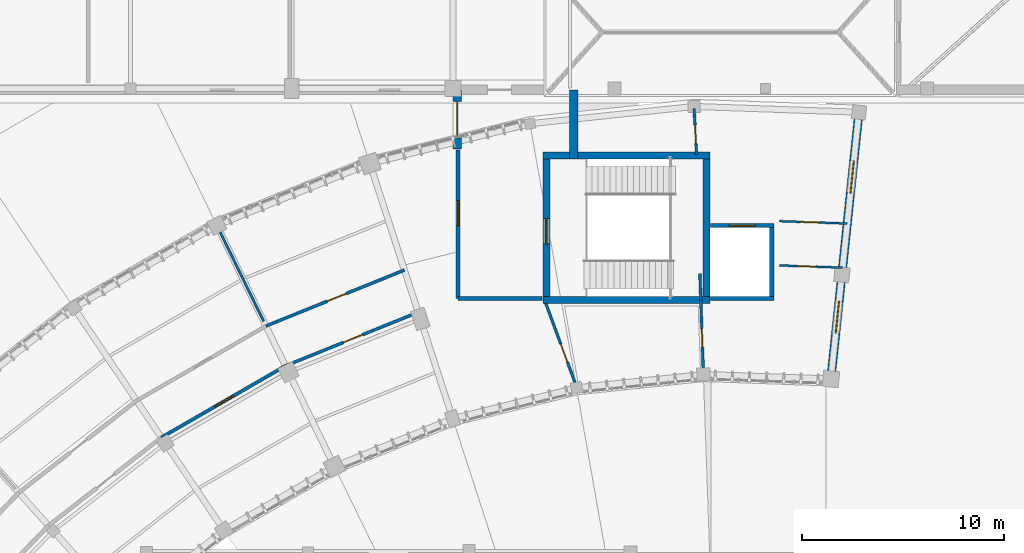
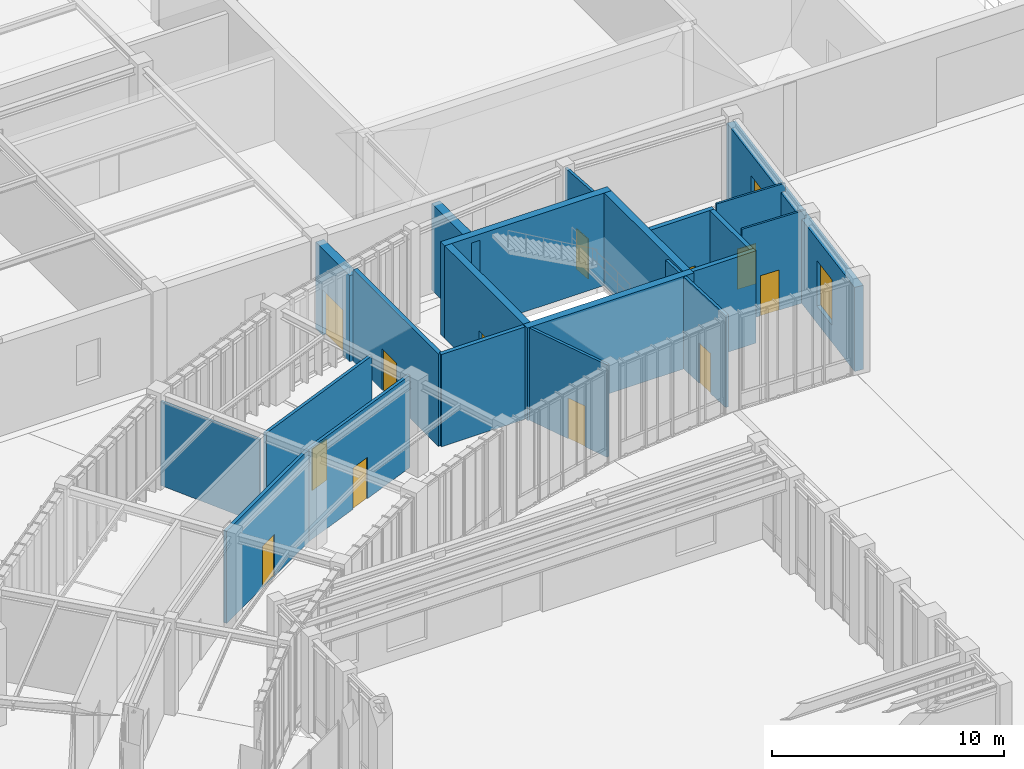
# One storey, part 44 of 68: 21 walls, 12 doors, 2 windows, 14 openings.
"""IFC4 building model written with IfcOpenShell, lengths in metres."""

from ifc_helpers import new_model, si_unit, direction, frame, frame_2d, origin, place, context, subcontext, project, spatial, rectangle, extrude, material, layer, layer_set, type_object, element, fill, save


model = new_model("IFC4")

# Units and contexts
model_context = context("Model", 3, precision=1e-05, world=origin(), true_north=direction((0.0, 1.0)))
body_context = subcontext(model_context, "Body", "Model", "MODEL_VIEW")
ifc_project = project(units=[si_unit("LENGTHUNIT", "METRE"), si_unit("AREAUNIT", "SQUARE_METRE"), si_unit("VOLUMEUNIT", "CUBIC_METRE"), si_unit("PLANEANGLEUNIT", "RADIAN"), si_unit("MASSUNIT", "GRAM", prefix="KILO"), si_unit("THERMODYNAMICTEMPERATUREUNIT", "KELVIN"), si_unit("POWERUNIT", "WATT")], contexts=[model_context])

# Site, building, storey
site_placement = place(None, origin())
site = spatial("IfcSite", under=ifc_project, at=site_placement, CompositionType="ELEMENT")
building_placement = place(site_placement, origin())
building = spatial("IfcBuilding", under=site, at=building_placement, Name="Solvatero Civic Police Headquarters", CompositionType="ELEMENT")
storey_placement = place(building_placement, origin())
storey = spatial("IfcBuildingStorey", under=building, at=storey_placement, Name="L00", CompositionType="ELEMENT", Elevation=0.0)

# Wall, opening, door
ifc_material_1 = material(Name="Cream Limestone Ashlar", Category="masonry")
ifc_layer_1 = layer(ifc_material_1, 0.419921875)
ifc_layer_set_1 = layer_set([ifc_layer_1], Name="Cream Limestone Ashlar")
wall_type_1 = type_object("IfcWallType", Name="WL-EXT-LIME-420", PredefinedType="SOLIDWALL", material=ifc_layer_set_1)
wall_1_placement = place(storey_placement, frame((80.2099609375, 82.5, 0.0), z_axis=(0.0, 0.0, 1.0), x_axis=(0.0, 1.0, 0.0)))
wall_1 = element("IfcWall", 1, at=wall_1_placement, inside=storey, type_object=wall_type_1, Name="Exterior Wall WLE-L00-C3LK-W", PredefinedType="SOLIDWALL", context=body_context, shape_type="SweptSolid", body=[
    extrude(rectangle(XDim=2.93994140625, YDim=0.419921875, at=frame_2d((1.469970703125, 0.0))), origin(), (0.0, 0.0, 1.0), 4.55810546875),
])
opening_1_placement = place(wall_1_placement, frame((0.550048828125, 0.0, 0.0)))
opening_1 = element("IfcOpeningElement", 2, at=opening_1_placement, cuts=wall_1, Name="Opening ED-04", PredefinedType="OPENING", context=body_context, shape_type="SweptSolid", body=[
    extrude(rectangle(XDim=1.800048828125, YDim=2.39990234375, at=frame_2d((0.89990234375, 1.199951171875))), frame((0.0, 0.219970703125, 0.0), z_axis=(0.0, -1.0, 0.0), x_axis=(1.0, 0.0, 0.0)), (0.0, 0.0, 1.0), 0.43994140625),
])
ifc_material_2 = material(Name="Anodized Bronze Aluminium and Laminated Glass", Category="aluminium")
door_type_1 = type_object("IfcDoorType", Name="DR-EXT-180x240", OperationType="DOUBLE_DOOR_SINGLE_SWING", PredefinedType="DOOR", material=ifc_material_2)
door_1_placement = place(opening_1_placement, origin())
door_1 = element("IfcDoor", 3, at=door_1_placement, inside=storey, type_object=door_type_1, Name="Exterior Door DR-L00-EXIT-C3", OperationType="DOUBLE_DOOR_SINGLE_SWING", OverallHeight=2.39990234375, OverallWidth=1.800048828125, PredefinedType="DOOR", context=body_context, shape_type="SweptSolid", body=[
    extrude(rectangle(XDim=1.800048828125, YDim=2.39990234375, at=frame_2d((0.89990234375, 1.199951171875))), frame((0.0, 0.02490234375, 0.0), z_axis=(0.0, -1.0, 0.0), x_axis=(1.0, 0.0, 0.0)), (0.0, 0.0, 1.0), 0.050048828125),
])
fill(opening_1, door_1)

# Wall
wall_2_placement = place(storey_placement, frame((85.989990234375, 82.0, 0.0), z_axis=(0.0, 0.0, 1.0), x_axis=(0.0, 1.0, 0.0)))
element("IfcWall", 4, at=wall_2_placement, inside=storey, type_object=wall_type_1, Name="Exterior Wall WLE-L00-C3LK-E", PredefinedType="SOLIDWALL", context=body_context, shape_type="SweptSolid", body=[
    extrude(rectangle(XDim=3.43994140625, YDim=0.419921875, at=frame_2d((1.719970703125, 0.0))), origin(), (0.0, 0.0, 1.0), 4.55810546875),
])

# Wall, openings, windows
wall_3_placement = place(storey_placement, frame((98.726806640625, 70.972412109375, 0.0), z_axis=(0.0, 0.0, 1.0), x_axis=(0.104534827036, 0.994521226489, 0.0)))
wall_3 = element("IfcWall", 5, at=wall_3_placement, inside=storey, type_object=wall_type_1, Name="Exterior Wall WLE-L00-ARC-END-E", PredefinedType="SOLIDWALL", context=body_context, shape_type="SweptSolid", body=[
    extrude(rectangle(XDim=13.559814453125, YDim=0.419921875, at=frame_2d((6.77978515625, 0.0))), origin(), (0.0, 0.0, 1.0), 4.429931640625),
])
opening_2_placement = place(wall_3_placement, frame((2.39990234375, 0.0, 0.89990234375)))
opening_2 = element("IfcOpeningElement", 6, at=opening_2_placement, cuts=wall_3, Name="Opening W-04", PredefinedType="OPENING", context=body_context, shape_type="SweptSolid", body=[
    extrude(rectangle(XDim=1.60009765625, YDim=2.39990234375, at=frame_2d((0.800048828125, 1.199951171875))), frame((0.0, 0.219970703125, 0.0), z_axis=(0.0, -1.0, 0.0), x_axis=(1.0, 0.0, 0.0)), (0.0, 0.0, 1.0), 0.43994140625),
])
opening_3_placement = place(wall_3_placement, frame((9.39990234375, 0.0, 0.89990234375)))
opening_3 = element("IfcOpeningElement", 7, at=opening_3_placement, cuts=wall_3, Name="Opening W-04", PredefinedType="OPENING", context=body_context, shape_type="SweptSolid", body=[
    extrude(rectangle(XDim=1.60009765625, YDim=2.39990234375, at=frame_2d((0.800048828125, 1.199951171875))), frame((0.0, 0.219970703125, 0.0), z_axis=(0.0, -1.0, 0.0), x_axis=(1.0, 0.0, 0.0)), (0.0, 0.0, 1.0), 0.43994140625),
])
ifc_material_3 = material(Name="Anodized Bronze Aluminium", Category="aluminium")
window_type = type_object("IfcWindowType", Name="WN-CL-160x240", PartitioningType="SINGLE_PANEL", PredefinedType="WINDOW", material=ifc_material_3)
window_1_placement = place(opening_2_placement, origin())
window_1 = element("IfcWindow", 8, at=window_1_placement, inside=storey, type_object=window_type, Name="Exterior Window 0281", OverallHeight=2.39990234375, OverallWidth=1.60009765625, PartitioningType="SINGLE_PANEL", PredefinedType="WINDOW", context=body_context, shape_type="SweptSolid", body=[
    extrude(rectangle(XDim=1.60009765625, YDim=2.39990234375, at=frame_2d((0.800048828125, 1.199951171875))), frame((0.0, 0.030029296875, 0.0), z_axis=(0.0, -1.0, 0.0), x_axis=(1.0, 0.0, 0.0)), (0.0, 0.0, 1.0), 0.06005859375),
])
fill(opening_2, window_1)
window_2_placement = place(opening_3_placement, origin())
window_2 = element("IfcWindow", 9, at=window_2_placement, inside=storey, type_object=window_type, Name="Exterior Window 0282", OverallHeight=2.39990234375, OverallWidth=1.60009765625, PartitioningType="SINGLE_PANEL", PredefinedType="WINDOW", context=body_context, shape_type="SweptSolid", body=[
    extrude(rectangle(XDim=1.60009765625, YDim=2.39990234375, at=frame_2d((0.800048828125, 1.199951171875))), frame((0.0, 0.030029296875, 0.0), z_axis=(0.0, -1.0, 0.0), x_axis=(1.0, 0.0, 0.0)), (0.0, 0.0, 1.0), 0.06005859375),
])
fill(opening_3, window_2)

# Wall, opening, door
ifc_material_4 = material(Name="Gypsum Acoustic Stud", Category="gypsum")
ifc_layer_2 = layer(ifc_material_4, 0.10009765625)
ifc_layer_set_2 = layer_set([ifc_layer_2], Name="Gypsum Acoustic Stud")
wall_type_2 = type_object("IfcWallType", Name="WL-PTN-100", PredefinedType="PARTITIONING", material=ifc_layer_set_2)
wall_4_placement = place(storey_placement, frame((99.320556640625, 76.62109375, 0.0), z_axis=(0.0, 0.0, 1.0), x_axis=(-0.999389073029, 0.034949688284, 0.0)))
wall_4 = element("IfcWall", 10, at=wall_4_placement, inside=storey, type_object=wall_type_2, Name="Interior Partition WLP-L00-ARC-CIN-B01", PredefinedType="PARTITIONING", context=body_context, shape_type="SweptSolid", body=[
    extrude(rectangle(XDim=3.12255859375, YDim=0.10009765625, at=frame_2d((1.561279296875, 0.0))), origin(), (0.0, 0.0, 1.0), 4.860107421875),
])
opening_4_placement = place(wall_4_placement, frame((1.31103515625, 0.0, 0.0)))
opening_4 = element("IfcOpeningElement", 11, at=opening_4_placement, cuts=wall_4, Name="Opening ID-03", PredefinedType="OPENING", context=body_context, shape_type="SweptSolid", body=[
    extrude(rectangle(XDim=0.919921875, YDim=2.1201171875, at=frame_2d((0.4599609375, 1.06005859375))), frame((0.0, 0.06005859375, 0.0), z_axis=(0.0, -1.0, 0.0), x_axis=(1.0, 0.0, 0.0)), (0.0, 0.0, 1.0), 0.1201171875),
])
ifc_material_5 = material(Name="Acoustic Oak Timber Veneer", Category="wood")
door_type_2 = type_object("IfcDoorType", Name="DR-OFF-092x212", OperationType="NOTDEFINED", PredefinedType="DOOR", material=ifc_material_5)
door_2_placement = place(opening_4_placement, origin())
door_2 = element("IfcDoor", 12, at=door_2_placement, inside=storey, type_object=door_type_2, Name="Interior Door DR-L00-ARC-IN-B01", OperationType="SINGLE_SWING_LEFT", OverallHeight=2.1201171875, OverallWidth=0.919921875, PredefinedType="DOOR", context=body_context, shape_type="SweptSolid", body=[
    extrude(rectangle(XDim=0.919921875, YDim=2.1201171875, at=frame_2d((0.4599609375, 1.06005859375))), frame((0.0, 0.02490234375, 0.0), z_axis=(0.0, -1.0, 0.0), x_axis=(1.0, 0.0, 0.0)), (0.0, 0.0, 1.0), 0.050048828125),
])
fill(opening_4, door_2)

wall_5_placement = place(storey_placement, frame((99.550537109375, 78.80908203125, 0.0), z_axis=(0.0, 0.0, 1.0), x_axis=(-0.999391468521, 0.034881121642, 0.0)))
wall_5 = element("IfcWall", 13, at=wall_5_placement, inside=storey, type_object=wall_type_2, Name="Interior Partition WLP-L00-ARC-COUT-B01", PredefinedType="PARTITIONING", context=body_context, shape_type="SweptSolid", body=[
    extrude(rectangle(XDim=3.3525390625, YDim=0.10009765625, at=frame_2d((1.67626953125, 0.0))), origin(), (0.0, 0.0, 1.0), 4.860107421875),
])
opening_5_placement = place(wall_5_placement, frame((1.407958984375, 0.0, 0.0)))
opening_5 = element("IfcOpeningElement", 14, at=opening_5_placement, cuts=wall_5, Name="Opening ID-03", PredefinedType="OPENING", context=body_context, shape_type="SweptSolid", body=[
    extrude(rectangle(XDim=0.919921875, YDim=2.1201171875, at=frame_2d((0.4599609375, 1.06005859375))), frame((0.0, 0.06005859375, 0.0), z_axis=(0.0, -1.0, 0.0), x_axis=(1.0, 0.0, 0.0)), (0.0, 0.0, 1.0), 0.1201171875),
])
door_3_placement = place(opening_5_placement, origin())
door_3 = element("IfcDoor", 15, at=door_3_placement, inside=storey, type_object=door_type_2, Name="Interior Door DR-L00-ARC-OUT-B01", OperationType="SINGLE_SWING_RIGHT", OverallHeight=2.1201171875, OverallWidth=0.919921875, PredefinedType="DOOR", context=body_context, shape_type="SweptSolid", body=[
    extrude(rectangle(XDim=0.919921875, YDim=2.1201171875, at=frame_2d((0.4599609375, 1.06005859375))), frame((0.0, 0.02490234375, 0.0), z_axis=(0.0, -1.0, 0.0), x_axis=(1.0, 0.0, 0.0)), (0.0, 0.0, 1.0), 0.050048828125),
])
fill(opening_5, door_3)

# Wall
ifc_layer_3 = layer(ifc_material_4, 0.1201171875)
ifc_layer_set_3 = layer_set([ifc_layer_3], Name="Gypsum Acoustic Stud")
wall_type_3 = type_object("IfcWallType", Name="WL-PTN-120", PredefinedType="PARTITIONING", material=ifc_layer_set_3)
wall_6_placement = place(storey_placement, frame((70.61279296875, 73.95068359375, 0.0), z_axis=(0.0, 0.0, 1.0), x_axis=(-0.438355450259, 0.898801701839, 0.0)))
element("IfcWall", 16, at=wall_6_placement, inside=storey, type_object=wall_type_3, Name="Interior Partition WLP-L00-ARC-RAD-B04", PredefinedType="PARTITIONING", context=body_context, shape_type="SweptSolid", body=[
    extrude(rectangle(XDim=5.150146484375, YDim=0.1201171875, at=frame_2d((2.5751953125, 0.0))), origin(), (0.0, 0.0, 1.0), 4.429931640625),
])

# Wall, opening, door
ifc_material_6 = material(Name="Gypsum Double-Stud", Category="gypsum")
ifc_layer_4 = layer(ifc_material_6, 0.135009765625)
ifc_layer_set_4 = layer_set([ifc_layer_4], Name="Gypsum Double-Stud")
wall_type_4 = type_object("IfcWallType", Name="WL-PTN-135", PredefinedType="PARTITIONING", material=ifc_layer_set_4)
wall_7_placement = place(storey_placement, frame((92.413818359375, 71.42236328125, 0.0), z_axis=(0.0, 0.0, 1.0), x_axis=(-0.034877560821, 0.999391592796, 0.0)))
wall_7 = element("IfcWall", 17, at=wall_7_placement, inside=storey, type_object=wall_type_4, Name="Interior Partition WLP-L00-ARC-R12-IN", PredefinedType="PARTITIONING", context=body_context, shape_type="SweptSolid", body=[
    extrude(rectangle(XDim=4.89990234375, YDim=0.135009765625, at=frame_2d((2.449951171875, 0.0))), origin(), (0.0, 0.0, 1.0), 4.860107421875),
])
opening_6_placement = place(wall_7_placement, frame((1.25, 0.0, 0.0)))
opening_6 = element("IfcOpeningElement", 18, at=opening_6_placement, cuts=wall_7, Name="Opening ID-03", PredefinedType="OPENING", context=body_context, shape_type="SweptSolid", body=[
    extrude(rectangle(XDim=0.919921875, YDim=2.1201171875, at=frame_2d((0.4599609375, 1.06005859375))), frame((0.0, 0.077392578125, 0.0), z_axis=(0.0, -1.0, 0.0), x_axis=(1.0, 0.0, 0.0)), (0.0, 0.0, 1.0), 0.155029296875),
])
door_4_placement = place(opening_6_placement, origin())
door_4 = element("IfcDoor", 19, at=door_4_placement, inside=storey, type_object=door_type_2, Name="Interior Door DR-L00-ARC-R12-IN", OperationType="SINGLE_SWING_LEFT", OverallHeight=2.1201171875, OverallWidth=0.919921875, PredefinedType="DOOR", context=body_context, shape_type="SweptSolid", body=[
    extrude(rectangle(XDim=0.919921875, YDim=2.1201171875, at=frame_2d((0.4599609375, 1.06005859375))), frame((0.0, 0.02490234375, 0.0), z_axis=(0.0, -1.0, 0.0), x_axis=(1.0, 0.0, 0.0)), (0.0, 0.0, 1.0), 0.050048828125),
])
fill(opening_6, door_4)

wall_8_placement = place(storey_placement, frame((92.080078125, 82.219970703125, 0.0), z_axis=(0.0, 0.0, 1.0), x_axis=(-0.053763372444, 0.998553704006, 0.0)))
wall_8 = element("IfcWall", 20, at=wall_8_placement, inside=storey, type_object=wall_type_4, Name="Interior Partition WLP-L00-ARC-R12-OUT", PredefinedType="PARTITIONING", context=body_context, shape_type="SweptSolid", body=[
    extrude(rectangle(XDim=2.2978515625, YDim=0.135009765625, at=frame_2d((1.14892578125, 0.0))), origin(), (0.0, 0.0, 1.0), 4.860107421875),
])
opening_7_placement = place(wall_8_placement, frame((0.550048828125, 0.0, 0.0)))
opening_7 = element("IfcOpeningElement", 21, at=opening_7_placement, cuts=wall_8, Name="Opening ID-03", PredefinedType="OPENING", context=body_context, shape_type="SweptSolid", body=[
    extrude(rectangle(XDim=0.919921875, YDim=2.1201171875, at=frame_2d((0.4599609375, 1.06005859375))), frame((0.0, 0.077392578125, 0.0), z_axis=(0.0, -1.0, 0.0), x_axis=(1.0, 0.0, 0.0)), (0.0, 0.0, 1.0), 0.155029296875),
])
door_5_placement = place(opening_7_placement, origin())
door_5 = element("IfcDoor", 22, at=door_5_placement, inside=storey, type_object=door_type_2, Name="Interior Door DR-L00-ARC-R12-OUT", OperationType="SINGLE_SWING_RIGHT", OverallHeight=2.1201171875, OverallWidth=0.919921875, PredefinedType="DOOR", context=body_context, shape_type="SweptSolid", body=[
    extrude(rectangle(XDim=0.919921875, YDim=2.1201171875, at=frame_2d((0.4599609375, 1.06005859375))), frame((0.0, 0.02490234375, 0.0), z_axis=(0.0, -1.0, 0.0), x_axis=(1.0, 0.0, 0.0)), (0.0, 0.0, 1.0), 0.050048828125),
])
fill(opening_7, door_5)

wall_9_placement = place(storey_placement, frame((86.107666015625, 70.759521484375, 0.0), z_axis=(0.0, 0.0, 1.0), x_axis=(-0.345809164341, 0.938304866159, 0.0)))
wall_9 = element("IfcWall", 23, at=wall_9_placement, inside=storey, type_object=wall_type_4, Name="Interior Partition WLP-L00-ARC-R23-IN", PredefinedType="PARTITIONING", context=body_context, shape_type="SweptSolid", body=[
    extrude(rectangle(XDim=4.359619140625, YDim=0.135009765625, at=frame_2d((2.1796875, 0.0))), origin(), (0.0, 0.0, 1.0), 4.860107421875),
])
opening_8_placement = place(wall_9_placement, frame((1.25, 0.0, 0.0)))
opening_8 = element("IfcOpeningElement", 24, at=opening_8_placement, cuts=wall_9, Name="Opening ID-04", PredefinedType="OPENING", context=body_context, shape_type="SweptSolid", body=[
    extrude(rectangle(XDim=0.949951171875, YDim=2.14990234375, at=frame_2d((0.47509765625, 1.074951171875))), frame((0.0, 0.077392578125, 0.0), z_axis=(0.0, -1.0, 0.0), x_axis=(1.0, 0.0, 0.0)), (0.0, 0.0, 1.0), 0.155029296875),
])
door_type_3 = type_object("IfcDoorType", Name="DR-ACC-095x215", OperationType="NOTDEFINED", PredefinedType="DOOR", material=ifc_material_5)
door_6_placement = place(opening_8_placement, origin())
door_6 = element("IfcDoor", 25, at=door_6_placement, inside=storey, type_object=door_type_3, Name="Interior Door DR-L00-ARC-R23-IN", OperationType="SINGLE_SWING_LEFT", OverallHeight=2.14990234375, OverallWidth=0.949951171875, PredefinedType="DOOR", context=body_context, shape_type="SweptSolid", body=[
    extrude(rectangle(XDim=0.949951171875, YDim=2.14990234375, at=frame_2d((0.47509765625, 1.074951171875))), frame((0.0, 0.02490234375, 0.0), z_axis=(0.0, -1.0, 0.0), x_axis=(1.0, 0.0, 0.0)), (0.0, 0.0, 1.0), 0.050048828125),
])
fill(opening_8, door_6)

ifc_layer_5 = layer(ifc_material_4, 0.14990234375)
ifc_layer_set_5 = layer_set([ifc_layer_5], Name="Gypsum Acoustic Stud")
wall_type_5 = type_object("IfcWallType", Name="WL-PTN-150", PredefinedType="PARTITIONING", material=ifc_layer_set_5)
wall_10_placement = place(storey_placement, frame((78.27099609375, 74.40869140625, 0.0), z_axis=(0.0, 0.0, 1.0), x_axis=(-0.927181218568, -0.374613117677, 0.0)))
wall_10 = element("IfcWall", 26, at=wall_10_placement, inside=storey, type_object=wall_type_5, Name="Interior Partition WLP-L00-ARC-CIN-B04", PredefinedType="PARTITIONING", context=body_context, shape_type="SweptSolid", body=[
    extrude(rectangle(XDim=7.10107421875, YDim=0.14990234375, at=frame_2d((3.550537109375, 0.0))), origin(), (0.0, 0.0, 1.0), 4.860107421875),
])
opening_9_placement = place(wall_10_placement, frame((2.98291015625, 0.0, 0.0)))
opening_9 = element("IfcOpeningElement", 27, at=opening_9_placement, cuts=wall_10, Name="Opening ID-06", PredefinedType="OPENING", context=body_context, shape_type="SweptSolid", body=[
    extrude(rectangle(XDim=1.02001953125, YDim=2.179931640625, at=frame_2d((0.510009765625, 1.08984375))), frame((0.0, 0.0849609375, 0.0), z_axis=(0.0, -1.0, 0.0), x_axis=(1.0, 0.0, 0.0)), (0.0, 0.0, 1.0), 0.169921875),
])
ifc_material_7 = material(Name="Powder-Coated Steel", Category="steel")
door_type_4 = type_object("IfcDoorType", Name="DR-LAB-102x218", OperationType="NOTDEFINED", PredefinedType="DOOR", material=ifc_material_7)
door_7_placement = place(opening_9_placement, origin())
door_7 = element("IfcDoor", 28, at=door_7_placement, inside=storey, type_object=door_type_4, Name="Interior Door DR-L00-ARC-IN-B04", OperationType="SINGLE_SWING_LEFT", OverallHeight=2.179931640625, OverallWidth=1.02001953125, PredefinedType="DOOR", context=body_context, shape_type="SweptSolid", body=[
    extrude(rectangle(XDim=1.02001953125, YDim=2.179931640625, at=frame_2d((0.510009765625, 1.08984375))), frame((0.0, 0.02490234375, 0.0), z_axis=(0.0, -1.0, 0.0), x_axis=(1.0, 0.0, 0.0)), (0.0, 0.0, 1.0), 0.050048828125),
])
fill(opening_9, door_7)

wall_11_placement = place(storey_placement, frame((77.59130859375, 76.501220703125, 0.0), z_axis=(0.0, 0.0, 1.0), x_axis=(-0.927187035022, -0.374598721418, 0.0)))
wall_11 = element("IfcWall", 29, at=wall_11_placement, inside=storey, type_object=wall_type_5, Name="Interior Partition WLP-L00-ARC-COUT-B04", PredefinedType="PARTITIONING", context=body_context, shape_type="SweptSolid", body=[
    extrude(rectangle(XDim=7.408203125, YDim=0.14990234375, at=frame_2d((3.7041015625, 0.0))), origin(), (0.0, 0.0, 1.0), 4.860107421875),
])
opening_10_placement = place(wall_11_placement, frame((3.111083984375, 0.0, 0.0)))
opening_10 = element("IfcOpeningElement", 30, at=opening_10_placement, cuts=wall_11, Name="Opening ID-06", PredefinedType="OPENING", context=body_context, shape_type="SweptSolid", body=[
    extrude(rectangle(XDim=1.02001953125, YDim=2.179931640625, at=frame_2d((0.510009765625, 1.08984375))), frame((0.0, 0.0849609375, 0.0), z_axis=(0.0, -1.0, 0.0), x_axis=(1.0, 0.0, 0.0)), (0.0, 0.0, 1.0), 0.169921875),
])
door_8_placement = place(opening_10_placement, origin())
door_8 = element("IfcDoor", 31, at=door_8_placement, inside=storey, type_object=door_type_4, Name="Interior Door DR-L00-ARC-OUT-B04", OperationType="SINGLE_SWING_RIGHT", OverallHeight=2.179931640625, OverallWidth=1.02001953125, PredefinedType="DOOR", context=body_context, shape_type="SweptSolid", body=[
    extrude(rectangle(XDim=1.02001953125, YDim=2.179931640625, at=frame_2d((0.510009765625, 1.08984375))), frame((0.0, 0.02490234375, 0.0), z_axis=(0.0, -1.0, 0.0), x_axis=(1.0, 0.0, 0.0)), (0.0, 0.0, 1.0), 0.050048828125),
])
fill(opening_10, door_8)

ifc_material_8 = material(Name="Concrete Blockwork", Category="masonry")
ifc_layer_6 = layer(ifc_material_8, 0.1650390625)
ifc_layer_set_6 = layer_set([ifc_layer_6], Name="Concrete Blockwork")
wall_type_6 = type_object("IfcWallType", Name="WL-PTN-165", PredefinedType="PARTITIONING", material=ifc_layer_set_6)
wall_12_placement = place(storey_placement, frame((71.68701171875, 71.74853515625, 0.0), z_axis=(0.0, 0.0, 1.0), x_axis=(-0.866032151687, -0.499988312107, 0.0)))
wall_12 = element("IfcWall", 32, at=wall_12_placement, inside=storey, type_object=wall_type_6, Name="Interior Partition WLP-L00-ARC-CIN-B05", PredefinedType="PARTITIONING", context=body_context, shape_type="SweptSolid", body=[
    extrude(rectangle(XDim=7.101318359375, YDim=0.1650390625, at=frame_2d((3.55078125, 0.0))), origin(), (0.0, 0.0, 1.0), 4.860107421875),
])
opening_11_placement = place(wall_12_placement, frame((2.98193359375, 0.0, 0.0)))
opening_11 = element("IfcOpeningElement", 33, at=opening_11_placement, cuts=wall_12, Name="Opening ID-07", PredefinedType="OPENING", context=body_context, shape_type="SweptSolid", body=[
    extrude(rectangle(XDim=1.050048828125, YDim=2.199951171875, at=frame_2d((0.52490234375, 1.10009765625))), frame((0.0, 0.092529296875, 0.0), z_axis=(0.0, -1.0, 0.0), x_axis=(1.0, 0.0, 0.0)), (0.0, 0.0, 1.0), 0.18505859375),
])
door_type_5 = type_object("IfcDoorType", Name="DR-LAB-105x220", OperationType="NOTDEFINED", PredefinedType="DOOR", material=ifc_material_7)
door_9_placement = place(opening_11_placement, origin())
door_9 = element("IfcDoor", 34, at=door_9_placement, inside=storey, type_object=door_type_5, Name="Interior Door DR-L00-ARC-IN-B05", OperationType="SINGLE_SWING_LEFT", OverallHeight=2.199951171875, OverallWidth=1.050048828125, PredefinedType="DOOR", context=body_context, shape_type="SweptSolid", body=[
    extrude(rectangle(XDim=1.050048828125, YDim=2.199951171875, at=frame_2d((0.52490234375, 1.10009765625))), frame((0.0, 0.02490234375, 0.0), z_axis=(0.0, -1.0, 0.0), x_axis=(1.0, 0.0, 0.0)), (0.0, 0.0, 1.0), 0.050048828125),
])
fill(opening_11, door_9)

ifc_layer_7 = layer(ifc_material_8, 0.199951171875)
ifc_layer_set_7 = layer_set([ifc_layer_7], Name="Concrete Blockwork")
wall_type_7 = type_object("IfcWallType", Name="WL-PTN-200", PredefinedType="PARTITIONING", material=ifc_layer_set_7)
wall_13_placement = place(storey_placement, frame((80.25, 75.10009765625, 0.0), z_axis=(0.0, 0.0, 1.0), x_axis=(0.0, 1.0, 0.0)))
wall_13 = element("IfcWall", 35, at=wall_13_placement, inside=storey, type_object=wall_type_7, Name="Interior Partition WLP-L00-EXIT-C3-W", PredefinedType="PARTITIONING", context=body_context, shape_type="SweptSolid", body=[
    extrude(rectangle(XDim=7.349853515625, YDim=0.199951171875, at=frame_2d((3.6748046875, 0.0))), origin(), (0.0, 0.0, 1.0), 4.860107421875),
])
opening_12_placement = place(wall_13_placement, frame((3.60009765625, 0.0, 0.0)))
opening_12 = element("IfcOpeningElement", 36, at=opening_12_placement, cuts=wall_13, Name="Opening FD-01", PredefinedType="OPENING", context=body_context, shape_type="SweptSolid", body=[
    extrude(rectangle(XDim=1.25, YDim=2.199951171875, at=frame_2d((0.625, 1.10009765625))), frame((0.0, 0.10986328125, 0.0), z_axis=(0.0, -1.0, 0.0), x_axis=(1.0, 0.0, 0.0)), (0.0, 0.0, 1.0), 0.219970703125),
])
door_type_6 = type_object("IfcDoorType", Name="DR-STR-125x220", OperationType="NOTDEFINED", PredefinedType="DOOR", material=ifc_material_7)
door_10_placement = place(opening_12_placement, origin())
door_10 = element("IfcDoor", 37, at=door_10_placement, inside=storey, type_object=door_type_6, Name="Interior Door DR-L00-C3PASS-W", OperationType="SINGLE_SWING_RIGHT", OverallHeight=2.199951171875, OverallWidth=1.25, PredefinedType="DOOR", context=body_context, shape_type="SweptSolid", body=[
    extrude(rectangle(XDim=1.25, YDim=2.199951171875, at=frame_2d((0.625, 1.10009765625))), frame((0.0, 0.02490234375, 0.0), z_axis=(0.0, -1.0, 0.0), x_axis=(1.0, 0.0, 0.0)), (0.0, 0.0, 1.0), 0.050048828125),
])
fill(opening_12, door_10)

# Walls
wall_14_placement = place(storey_placement, frame((80.25, 75.10009765625, 0.0), z_axis=(0.0, 0.0, 1.0), x_axis=(1.0, 0.0, 0.0)))
element("IfcWall", 38, at=wall_14_placement, inside=storey, type_object=wall_type_7, Name="Interior Partition WLP-L00-EXIT-C3-S", PredefinedType="PARTITIONING", context=body_context, shape_type="SweptSolid", body=[
    extrude(rectangle(XDim=4.169921875, YDim=0.199951171875, at=frame_2d((2.0849609375, 0.0))), origin(), (0.0, 0.0, 1.0), 4.860107421875),
])
ifc_material_9 = material(Name="Concrete C35/45", Category="concrete")
ifc_layer_8 = layer(ifc_material_9, 0.219970703125)
ifc_layer_set_8 = layer_set([ifc_layer_8], Name="Concrete C35/45")
wall_type_8 = type_object("IfcWallType", Name="WL-SHF-220", PredefinedType="PARTITIONING", material=ifc_layer_set_8)
wall_15_placement = place(storey_placement, frame((92.760009765625, 75.090087890625, 0.0), z_axis=(0.0, 0.0, 1.0), x_axis=(1.0, 0.0, 0.0)))
element("IfcWall", 39, at=wall_15_placement, inside=storey, type_object=wall_type_8, Name="Lift Shaft Wall WLS-LG-01-L00-S", PredefinedType="PARTITIONING", context=body_context, shape_type="SweptSolid", body=[
    extrude(rectangle(XDim=3.159912109375, YDim=0.219970703125, at=frame_2d((1.580078125, 0.0))), origin(), (0.0, 0.0, 1.0), 4.860107421875),
])

# Wall, opening, door
wall_16_placement = place(storey_placement, frame((92.760009765625, 78.7099609375, 0.0), z_axis=(0.0, 0.0, 1.0), x_axis=(1.0, 0.0, 0.0)))
wall_16 = element("IfcWall", 40, at=wall_16_placement, inside=storey, type_object=wall_type_8, Name="Lift Shaft Wall WLS-LG-01-L00-N", PredefinedType="PARTITIONING", context=body_context, shape_type="SweptSolid", body=[
    extrude(rectangle(XDim=3.159912109375, YDim=0.219970703125, at=frame_2d((1.580078125, 0.0))), origin(), (0.0, 0.0, 1.0), 4.860107421875),
])
opening_13_placement = place(wall_16_placement, frame((0.929931640625, 0.0, 0.0)))
opening_13 = element("IfcOpeningElement", 41, at=opening_13_placement, cuts=wall_16, Name="Opening LD-02", PredefinedType="OPENING", context=body_context, shape_type="SweptSolid", body=[
    extrude(rectangle(XDim=1.300048828125, YDim=2.199951171875, at=frame_2d((0.64990234375, 1.10009765625))), frame((0.0, 0.119873046875, 0.0), z_axis=(0.0, -1.0, 0.0), x_axis=(1.0, 0.0, 0.0)), (0.0, 0.0, 1.0), 0.239990234375),
])
ifc_material_10 = material(Name="Stainless Steel Grade 316", Category="steel")
door_type_7 = type_object("IfcDoorType", Name="DR-LFT-130x220", OperationType="DOUBLE_DOOR_SLIDING", PredefinedType="DOOR", material=ifc_material_10)
door_11_placement = place(opening_13_placement, origin())
door_11 = element("IfcDoor", 42, at=door_11_placement, inside=storey, type_object=door_type_7, Name="Interior Door DR-LFT-LG-01-L00", OperationType="DOUBLE_DOOR_SLIDING", OverallHeight=2.199951171875, OverallWidth=1.300048828125, PredefinedType="DOOR", context=body_context, shape_type="SweptSolid", body=[
    extrude(rectangle(XDim=1.300048828125, YDim=2.199951171875, at=frame_2d((0.64990234375, 1.10009765625))), frame((0.0, 0.02490234375, 0.0), z_axis=(0.0, -1.0, 0.0), x_axis=(1.0, 0.0, 0.0)), (0.0, 0.0, 1.0), 0.050048828125),
])
fill(opening_13, door_11)

# Walls
wall_17_placement = place(storey_placement, frame((95.81005859375, 75.199951171875, 0.0), z_axis=(0.0, 0.0, 1.0), x_axis=(0.0, 1.0, 0.0)))
element("IfcWall", 43, at=wall_17_placement, inside=storey, type_object=wall_type_8, Name="Lift Shaft Wall WLS-LG-01-L00-E", PredefinedType="PARTITIONING", context=body_context, shape_type="SweptSolid", body=[
    extrude(rectangle(XDim=3.400146484375, YDim=0.219970703125, at=frame_2d((1.7001953125, 0.0))), origin(), (0.0, 0.0, 1.0), 4.860107421875),
])
ifc_material_11 = material(Name="Concrete C40/50", Category="concrete")
ifc_layer_9 = layer(ifc_material_11, 0.35009765625)
ifc_layer_set_9 = layer_set([ifc_layer_9], Name="Concrete C40/50")
wall_type_9 = type_object("IfcWallType", Name="WL-SHR-350", PredefinedType="SHEAR", material=ifc_layer_set_9)
for number, where, z_axis, x_axis, name in (
    (44, (84.449951171875, 75.02490234375, 0.0), (0.0, 0.0, 1.0), (1.0, 0.0, 0.0), "Core C3 Shear Wall S L00"),
    (45, (84.449951171875, 82.175048828125, 0.0), (0.0, 0.0, 1.0), (1.0, 0.0, 0.0), "Core C3 Shear Wall N L00"),
):
    element("IfcWall", number, at=place(storey_placement, frame(where, z_axis=z_axis, x_axis=x_axis)), inside=storey, type_object=wall_type_9, Name=name, PredefinedType="SHEAR", context=body_context, shape_type="SweptSolid", body=[
        extrude(rectangle(XDim=8.300048828125, YDim=0.35009765625, at=frame_2d((4.14990234375, 0.0))), origin(), (0.0, 0.0, 1.0), 4.8798828125),
    ])

# Wall, opening, door
wall_18_placement = place(storey_placement, frame((84.625, 75.199951171875, 0.0), z_axis=(0.0, 0.0, 1.0), x_axis=(0.0, 1.0, 0.0)))
wall_18 = element("IfcWall", 46, at=wall_18_placement, inside=storey, type_object=wall_type_9, Name="Core C3 Shear Wall W L00", PredefinedType="SHEAR", context=body_context, shape_type="SweptSolid", body=[
    extrude(rectangle(XDim=6.800048828125, YDim=0.35009765625, at=frame_2d((3.39990234375, 0.0))), origin(), (0.0, 0.0, 1.0), 4.8798828125),
])
opening_14_placement = place(wall_18_placement, frame((2.60009765625, 0.0, 0.0)))
opening_14 = element("IfcOpeningElement", 47, at=opening_14_placement, cuts=wall_18, Name="Opening FD-01", PredefinedType="OPENING", context=body_context, shape_type="SweptSolid", body=[
    extrude(rectangle(XDim=1.25, YDim=2.199951171875, at=frame_2d((0.625, 1.10009765625))), frame((0.0, 0.18505859375, 0.0), z_axis=(0.0, -1.0, 0.0), x_axis=(1.0, 0.0, 0.0)), (0.0, 0.0, 1.0), 0.3701171875),
])
door_12_placement = place(opening_14_placement, origin())
door_12 = element("IfcDoor", 48, at=door_12_placement, inside=storey, type_object=door_type_6, Name="Interior Door DR-STR-C3-L00", OperationType="SINGLE_SWING_LEFT", OverallHeight=2.199951171875, OverallWidth=1.25, PredefinedType="DOOR", context=body_context, shape_type="SweptSolid", body=[
    extrude(rectangle(XDim=1.25, YDim=2.199951171875, at=frame_2d((0.625, 1.10009765625))), frame((0.0, 0.02490234375, 0.0), z_axis=(0.0, -1.0, 0.0), x_axis=(1.0, 0.0, 0.0)), (0.0, 0.0, 1.0), 0.050048828125),
])
fill(opening_14, door_12)

# Wall
wall_19_placement = place(storey_placement, frame((92.574951171875, 75.199951171875, 0.0), z_axis=(0.0, 0.0, 1.0), x_axis=(0.0, 1.0, 0.0)))
element("IfcWall", 49, at=wall_19_placement, inside=storey, type_object=wall_type_9, Name="Core C3 Shear Wall E L00", PredefinedType="SHEAR", context=body_context, shape_type="SweptSolid", body=[
    extrude(rectangle(XDim=6.800048828125, YDim=0.35009765625, at=frame_2d((3.39990234375, 0.0))), origin(), (0.0, 0.0, 1.0), 4.8798828125),
])

save(model, "model.ifc")
